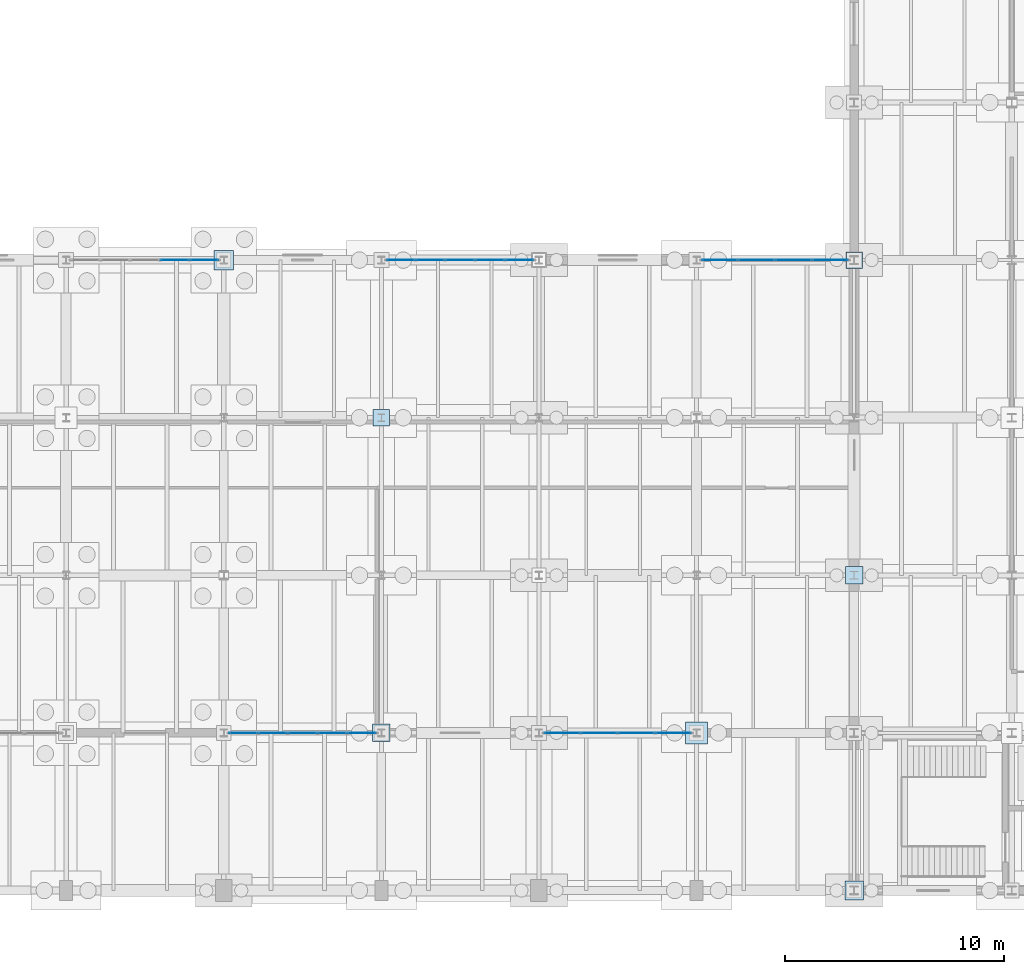
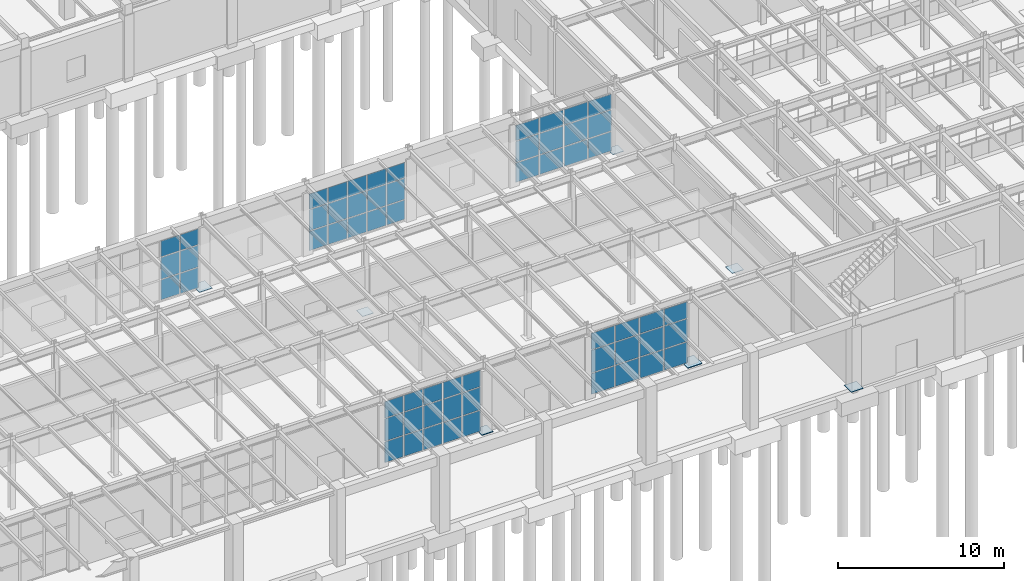
# One storey, part 243 of 293: 67 plates, 5 elements without a shape of their own.
"""IFC4 building model written with IfcOpenShell, lengths in metres."""

from ifc_helpers import new_model, si_unit, direction, frame, origin, origin_2d, place, context, subcontext, project, spatial, rectangle, extrude, material, layer, layer_set, type_object, element, aggregate, save


model = new_model("IFC4")

# Units and contexts
model_context = context("Model", 3, precision=1e-05, world=origin(), true_north=direction((0.0, 1.0)))
body_context = subcontext(model_context, "Body", "Model", "MODEL_VIEW")
ifc_project = project(units=[si_unit("LENGTHUNIT", "METRE"), si_unit("AREAUNIT", "SQUARE_METRE"), si_unit("VOLUMEUNIT", "CUBIC_METRE"), si_unit("PLANEANGLEUNIT", "RADIAN"), si_unit("MASSUNIT", "GRAM", prefix="KILO")], contexts=[model_context])

# Site, building, storey
site_placement = place(None, origin())
site = spatial("IfcSite", under=ifc_project, at=site_placement, CompositionType="ELEMENT")
building_placement = place(site_placement, origin())
building = spatial("IfcBuilding", under=site, at=building_placement, Name="Kemerveld Promenade Tramway Depot", CompositionType="ELEMENT")
storey_placement = place(building_placement, origin())
storey = spatial("IfcBuildingStorey", under=building, at=storey_placement, Name="L00", CompositionType="ELEMENT", Elevation=0.0)

# Curtain wall, plates
ifc_material_1 = material(Name="Bronze anodised aluminium and solar glass", Category="aluminium")
ifc_layer_1 = layer(ifc_material_1, 0.159912109375)
ifc_layer_set_1 = layer_set([ifc_layer_1], Name="CW-SYS-03")
curtain_wall_type_1 = type_object("IfcCurtainWallType", Name="CW-SYS-03", PredefinedType="USERDEFINED", material=ifc_layer_set_1)
curtain_wall_1_placement = place(storey_placement, origin())
curtain_wall_1 = element("IfcCurtainWall", 1, at=curtain_wall_1_placement, inside=storey, type_object=curtain_wall_type_1, Name="CW-L00-V4N-14", ObjectType="GLAZED_CURTAIN_WALL", PredefinedType="USERDEFINED")
ifc_material_2 = material(Name="Solar-control laminated double glazing", Category="glass")
ifc_layer_2 = layer(ifc_material_2, 0.028076171875)
ifc_layer_set_2 = layer_set([ifc_layer_2], Name="CW-PNL-01")
plate_type_1 = type_object("IfcPlateType", Name="CW-PNL-01", PredefinedType="CURTAIN_PANEL", material=ifc_layer_set_2)
plate_1_placement = place(storey_placement, frame((152.2607421875, 28.800048828125, 0.06005859375), z_axis=(0.0, 0.0, 1.0), x_axis=(1.0, 0.0, 0.0)))
plate_1 = element("IfcPlate", 2, at=plate_1_placement, type_object=plate_type_1, Name="CW03 panel 1.1", PredefinedType="CURTAIN_PANEL", context=body_context, shape_type="SweptSolid", body=[
    extrude(rectangle(XDim=1.59912109375, YDim=0.028076171875, at=origin_2d()), origin(), (0.0, 0.0, 1.0), 1.4169921875),
])
plate_2_placement = place(storey_placement, frame((152.2607421875, 28.800048828125, 1.537109375), z_axis=(0.0, 0.0, 1.0), x_axis=(1.0, 0.0, 0.0)))
plate_2 = element("IfcPlate", 3, at=plate_2_placement, type_object=plate_type_1, Name="CW03 panel 1.2", PredefinedType="CURTAIN_PANEL", context=body_context, shape_type="SweptSolid", body=[
    extrude(rectangle(XDim=1.59912109375, YDim=0.028076171875, at=origin_2d()), origin(), (0.0, 0.0, 1.0), 1.532958984375),
])
plate_3_placement = place(storey_placement, frame((152.2607421875, 28.800048828125, 3.1298828125), z_axis=(0.0, 0.0, 1.0), x_axis=(1.0, 0.0, 0.0)))
plate_3 = element("IfcPlate", 4, at=plate_3_placement, type_object=plate_type_1, Name="CW03 panel 1.3", PredefinedType="CURTAIN_PANEL", context=body_context, shape_type="SweptSolid", body=[
    extrude(rectangle(XDim=1.59912109375, YDim=0.028076171875, at=origin_2d()), origin(), (0.0, 0.0, 1.0), 1.114990234375),
])
plate_4_placement = place(storey_placement, frame((153.941162109375, 28.800048828125, 0.06005859375), z_axis=(0.0, 0.0, 1.0), x_axis=(1.0, 0.0, 0.0)))
plate_4 = element("IfcPlate", 5, at=plate_4_placement, type_object=plate_type_1, Name="CW03 panel 2.1", PredefinedType="CURTAIN_PANEL", context=body_context, shape_type="SweptSolid", body=[
    extrude(rectangle(XDim=1.631591796875, YDim=0.028076171875, at=origin_2d()), origin(), (0.0, 0.0, 1.0), 1.4169921875),
])
plate_5_placement = place(storey_placement, frame((153.941162109375, 28.800048828125, 1.537109375), z_axis=(0.0, 0.0, 1.0), x_axis=(1.0, 0.0, 0.0)))
plate_5 = element("IfcPlate", 6, at=plate_5_placement, type_object=plate_type_1, Name="CW03 panel 2.2", PredefinedType="CURTAIN_PANEL", context=body_context, shape_type="SweptSolid", body=[
    extrude(rectangle(XDim=1.631591796875, YDim=0.028076171875, at=origin_2d()), origin(), (0.0, 0.0, 1.0), 1.532958984375),
])
plate_6_placement = place(storey_placement, frame((153.941162109375, 28.800048828125, 3.1298828125), z_axis=(0.0, 0.0, 1.0), x_axis=(1.0, 0.0, 0.0)))
plate_6 = element("IfcPlate", 7, at=plate_6_placement, type_object=plate_type_1, Name="CW03 panel 2.3", PredefinedType="CURTAIN_PANEL", context=body_context, shape_type="SweptSolid", body=[
    extrude(rectangle(XDim=1.631591796875, YDim=0.028076171875, at=origin_2d()), origin(), (0.0, 0.0, 1.0), 1.114990234375),
])
plate_7_placement = place(storey_placement, frame((155.6376953125, 28.800048828125, 0.06005859375), z_axis=(0.0, 0.0, 1.0), x_axis=(1.0, 0.0, 0.0)))
plate_7 = element("IfcPlate", 8, at=plate_7_placement, type_object=plate_type_1, Name="CW03 panel 3.1", PredefinedType="CURTAIN_PANEL", context=body_context, shape_type="SweptSolid", body=[
    extrude(rectangle(XDim=1.631591796875, YDim=0.028076171875, at=origin_2d()), origin(), (0.0, 0.0, 1.0), 1.4169921875),
])
plate_8_placement = place(storey_placement, frame((155.6376953125, 28.800048828125, 1.537109375), z_axis=(0.0, 0.0, 1.0), x_axis=(1.0, 0.0, 0.0)))
plate_8 = element("IfcPlate", 9, at=plate_8_placement, type_object=plate_type_1, Name="CW03 panel 3.2", PredefinedType="CURTAIN_PANEL", context=body_context, shape_type="SweptSolid", body=[
    extrude(rectangle(XDim=1.631591796875, YDim=0.028076171875, at=origin_2d()), origin(), (0.0, 0.0, 1.0), 1.532958984375),
])
plate_9_placement = place(storey_placement, frame((155.6376953125, 28.800048828125, 3.1298828125), z_axis=(0.0, 0.0, 1.0), x_axis=(1.0, 0.0, 0.0)))
plate_9 = element("IfcPlate", 10, at=plate_9_placement, type_object=plate_type_1, Name="CW03 panel 3.3", PredefinedType="CURTAIN_PANEL", context=body_context, shape_type="SweptSolid", body=[
    extrude(rectangle(XDim=1.631591796875, YDim=0.028076171875, at=origin_2d()), origin(), (0.0, 0.0, 1.0), 1.114990234375),
])
plate_10_placement = place(storey_placement, frame((157.318115234375, 28.800048828125, 0.06005859375), z_axis=(0.0, 0.0, 1.0), x_axis=(1.0, 0.0, 0.0)))
plate_10 = element("IfcPlate", 11, at=plate_10_placement, type_object=plate_type_1, Name="CW03 panel 4.1", PredefinedType="CURTAIN_PANEL", context=body_context, shape_type="SweptSolid", body=[
    extrude(rectangle(XDim=1.59912109375, YDim=0.028076171875, at=origin_2d()), origin(), (0.0, 0.0, 1.0), 1.4169921875),
])
plate_11_placement = place(storey_placement, frame((157.318115234375, 28.800048828125, 1.537109375), z_axis=(0.0, 0.0, 1.0), x_axis=(1.0, 0.0, 0.0)))
plate_11 = element("IfcPlate", 12, at=plate_11_placement, type_object=plate_type_1, Name="CW03 panel 4.2", PredefinedType="CURTAIN_PANEL", context=body_context, shape_type="SweptSolid", body=[
    extrude(rectangle(XDim=1.59912109375, YDim=0.028076171875, at=origin_2d()), origin(), (0.0, 0.0, 1.0), 1.532958984375),
])
plate_12_placement = place(storey_placement, frame((157.318115234375, 28.800048828125, 3.1298828125), z_axis=(0.0, 0.0, 1.0), x_axis=(1.0, 0.0, 0.0)))
plate_12 = element("IfcPlate", 13, at=plate_12_placement, type_object=plate_type_1, Name="CW03 panel 4.3", PredefinedType="CURTAIN_PANEL", context=body_context, shape_type="SweptSolid", body=[
    extrude(rectangle(XDim=1.59912109375, YDim=0.028076171875, at=origin_2d()), origin(), (0.0, 0.0, 1.0), 1.114990234375),
])
aggregate(curtain_wall_1, [plate_1, plate_2, plate_3, plate_4, plate_5, plate_6, plate_7, plate_8, plate_9, plate_10, plate_11, plate_12])

ifc_layer_3 = layer(ifc_material_1, 0.159912109375)
ifc_layer_set_3 = layer_set([ifc_layer_3], Name="CW-SYS-05")
curtain_wall_type_2 = type_object("IfcCurtainWallType", Name="CW-SYS-05", PredefinedType="USERDEFINED", material=ifc_layer_set_3)
curtain_wall_2_placement = place(storey_placement, origin())
curtain_wall_2 = element("IfcCurtainWall", 14, at=curtain_wall_2_placement, inside=storey, type_object=curtain_wall_type_2, Name="CW-L00-V4S-02", ObjectType="GLAZED_CURTAIN_WALL", PredefinedType="USERDEFINED")
ifc_layer_4 = layer(ifc_material_2, 0.031982421875)
ifc_layer_set_4 = layer_set([ifc_layer_4], Name="CW-PNL-05")
plate_type_2 = type_object("IfcPlateType", Name="CW-PNL-05", PredefinedType="CURTAIN_PANEL", material=ifc_layer_set_4)
plate_13_placement = place(storey_placement, frame((150.136474609375, 7.199951171875, 0.06005859375), z_axis=(0.0, 0.0, 1.0), x_axis=(-1.0, 0.0, 0.0)))
plate_13 = element("IfcPlate", 15, at=plate_13_placement, type_object=plate_type_2, Name="CW05 panel 1.1", PredefinedType="CURTAIN_PANEL", context=body_context, shape_type="SweptSolid", body=[
    extrude(rectangle(XDim=1.6044921875, YDim=0.031982421875, at=origin_2d()), origin(), (0.0, 0.0, 1.0), 1.52587890625),
])
plate_14_placement = place(storey_placement, frame((150.136474609375, 7.199951171875, 1.64599609375), z_axis=(0.0, 0.0, 1.0), x_axis=(-1.0, 0.0, 0.0)))
plate_14 = element("IfcPlate", 16, at=plate_14_placement, type_object=plate_type_2, Name="CW05 panel 1.2", PredefinedType="CURTAIN_PANEL", context=body_context, shape_type="SweptSolid", body=[
    extrude(rectangle(XDim=1.6044921875, YDim=0.031982421875, at=origin_2d()), origin(), (0.0, 0.0, 1.0), 1.64892578125),
])
plate_15_placement = place(storey_placement, frame((150.136474609375, 7.199951171875, 3.35498046875), z_axis=(0.0, 0.0, 1.0), x_axis=(-1.0, 0.0, 0.0)))
plate_15 = element("IfcPlate", 17, at=plate_15_placement, type_object=plate_type_2, Name="CW05 panel 1.3", PredefinedType="CURTAIN_PANEL", context=body_context, shape_type="SweptSolid", body=[
    extrude(rectangle(XDim=1.6044921875, YDim=0.031982421875, at=origin_2d()), origin(), (0.0, 0.0, 1.0), 1.203369140625),
])
plate_16_placement = place(storey_placement, frame((148.450927734375, 7.199951171875, 0.06005859375), z_axis=(0.0, 0.0, 1.0), x_axis=(-1.0, 0.0, 0.0)))
plate_16 = element("IfcPlate", 18, at=plate_16_placement, type_object=plate_type_2, Name="CW05 panel 2.1", PredefinedType="CURTAIN_PANEL", context=body_context, shape_type="SweptSolid", body=[
    extrude(rectangle(XDim=1.636962890625, YDim=0.031982421875, at=origin_2d()), origin(), (0.0, 0.0, 1.0), 1.52587890625),
])
plate_17_placement = place(storey_placement, frame((148.450927734375, 7.199951171875, 1.64599609375), z_axis=(0.0, 0.0, 1.0), x_axis=(-1.0, 0.0, 0.0)))
plate_17 = element("IfcPlate", 19, at=plate_17_placement, type_object=plate_type_2, Name="CW05 panel 2.2", PredefinedType="CURTAIN_PANEL", context=body_context, shape_type="SweptSolid", body=[
    extrude(rectangle(XDim=1.636962890625, YDim=0.031982421875, at=origin_2d()), origin(), (0.0, 0.0, 1.0), 1.64892578125),
])
plate_18_placement = place(storey_placement, frame((148.450927734375, 7.199951171875, 3.35498046875), z_axis=(0.0, 0.0, 1.0), x_axis=(-1.0, 0.0, 0.0)))
plate_18 = element("IfcPlate", 20, at=plate_18_placement, type_object=plate_type_2, Name="CW05 panel 2.3", PredefinedType="CURTAIN_PANEL", context=body_context, shape_type="SweptSolid", body=[
    extrude(rectangle(XDim=1.636962890625, YDim=0.031982421875, at=origin_2d()), origin(), (0.0, 0.0, 1.0), 1.203369140625),
])
plate_19_placement = place(storey_placement, frame((146.7490234375, 7.199951171875, 0.06005859375), z_axis=(0.0, 0.0, 1.0), x_axis=(-1.0, 0.0, 0.0)))
plate_19 = element("IfcPlate", 21, at=plate_19_placement, type_object=plate_type_2, Name="CW05 panel 3.1", PredefinedType="CURTAIN_PANEL", context=body_context, shape_type="SweptSolid", body=[
    extrude(rectangle(XDim=1.636962890625, YDim=0.031982421875, at=origin_2d()), origin(), (0.0, 0.0, 1.0), 1.52587890625),
])
plate_20_placement = place(storey_placement, frame((146.7490234375, 7.199951171875, 1.64599609375), z_axis=(0.0, 0.0, 1.0), x_axis=(-1.0, 0.0, 0.0)))
plate_20 = element("IfcPlate", 22, at=plate_20_placement, type_object=plate_type_2, Name="CW05 panel 3.2", PredefinedType="CURTAIN_PANEL", context=body_context, shape_type="SweptSolid", body=[
    extrude(rectangle(XDim=1.636962890625, YDim=0.031982421875, at=origin_2d()), origin(), (0.0, 0.0, 1.0), 1.64892578125),
])
plate_21_placement = place(storey_placement, frame((146.7490234375, 7.199951171875, 3.35498046875), z_axis=(0.0, 0.0, 1.0), x_axis=(-1.0, 0.0, 0.0)))
plate_21 = element("IfcPlate", 23, at=plate_21_placement, type_object=plate_type_2, Name="CW05 panel 3.3", PredefinedType="CURTAIN_PANEL", context=body_context, shape_type="SweptSolid", body=[
    extrude(rectangle(XDim=1.636962890625, YDim=0.031982421875, at=origin_2d()), origin(), (0.0, 0.0, 1.0), 1.203369140625),
])
plate_22_placement = place(storey_placement, frame((145.0634765625, 7.199951171875, 0.06005859375), z_axis=(0.0, 0.0, 1.0), x_axis=(-1.0, 0.0, 0.0)))
plate_22 = element("IfcPlate", 24, at=plate_22_placement, type_object=plate_type_2, Name="CW05 panel 4.1", PredefinedType="CURTAIN_PANEL", context=body_context, shape_type="SweptSolid", body=[
    extrude(rectangle(XDim=1.6044921875, YDim=0.031982421875, at=origin_2d()), origin(), (0.0, 0.0, 1.0), 1.52587890625),
])
plate_23_placement = place(storey_placement, frame((145.0634765625, 7.199951171875, 1.64599609375), z_axis=(0.0, 0.0, 1.0), x_axis=(-1.0, 0.0, 0.0)))
plate_23 = element("IfcPlate", 25, at=plate_23_placement, type_object=plate_type_2, Name="CW05 panel 4.2", PredefinedType="CURTAIN_PANEL", context=body_context, shape_type="SweptSolid", body=[
    extrude(rectangle(XDim=1.6044921875, YDim=0.031982421875, at=origin_2d()), origin(), (0.0, 0.0, 1.0), 1.64892578125),
])
plate_24_placement = place(storey_placement, frame((145.0634765625, 7.199951171875, 3.35498046875), z_axis=(0.0, 0.0, 1.0), x_axis=(-1.0, 0.0, 0.0)))
plate_24 = element("IfcPlate", 26, at=plate_24_placement, type_object=plate_type_2, Name="CW05 panel 4.3", PredefinedType="CURTAIN_PANEL", context=body_context, shape_type="SweptSolid", body=[
    extrude(rectangle(XDim=1.6044921875, YDim=0.031982421875, at=origin_2d()), origin(), (0.0, 0.0, 1.0), 1.203369140625),
])
aggregate(curtain_wall_2, [plate_13, plate_14, plate_15, plate_16, plate_17, plate_18, plate_19, plate_20, plate_21, plate_22, plate_23, plate_24])

ifc_layer_5 = layer(ifc_material_1, 0.159912109375)
ifc_layer_set_5 = layer_set([ifc_layer_5], Name="CW-SYS-13")
curtain_wall_type_3 = type_object("IfcCurtainWallType", Name="CW-SYS-13", PredefinedType="USERDEFINED", material=ifc_layer_set_5)
curtain_wall_3_placement = place(storey_placement, origin())
curtain_wall_3 = element("IfcCurtainWall", 27, at=curtain_wall_3_placement, inside=storey, type_object=curtain_wall_type_3, Name="CW-L00-V4N-10", ObjectType="GLAZED_CURTAIN_WALL", PredefinedType="USERDEFINED")
plate_25_placement = place(storey_placement, frame((127.361572265625, 28.800048828125, 0.06005859375), z_axis=(0.0, 0.0, 1.0), x_axis=(1.0, 0.0, 0.0)))
plate_25 = element("IfcPlate", 28, at=plate_25_placement, type_object=plate_type_2, Name="CW13 panel 4.1", PredefinedType="CURTAIN_PANEL", context=body_context, shape_type="SweptSolid", body=[
    extrude(rectangle(XDim=1.29638671875, YDim=0.031982421875, at=origin_2d()), origin(), (0.0, 0.0, 1.0), 1.468994140625),
])
plate_26_placement = place(storey_placement, frame((127.361572265625, 28.800048828125, 1.5888671875), z_axis=(0.0, 0.0, 1.0), x_axis=(1.0, 0.0, 0.0)))
plate_26 = element("IfcPlate", 29, at=plate_26_placement, type_object=plate_type_2, Name="CW13 panel 4.2", PredefinedType="CURTAIN_PANEL", context=body_context, shape_type="SweptSolid", body=[
    extrude(rectangle(XDim=1.29638671875, YDim=0.031982421875, at=origin_2d()), origin(), (0.0, 0.0, 1.0), 1.589111328125),
])
plate_27_placement = place(storey_placement, frame((127.361572265625, 28.800048828125, 3.23779296875), z_axis=(0.0, 0.0, 1.0), x_axis=(1.0, 0.0, 0.0)))
plate_27 = element("IfcPlate", 30, at=plate_27_placement, type_object=plate_type_2, Name="CW13 panel 4.3", PredefinedType="CURTAIN_PANEL", context=body_context, shape_type="SweptSolid", body=[
    extrude(rectangle(XDim=1.29638671875, YDim=0.031982421875, at=origin_2d()), origin(), (0.0, 0.0, 1.0), 1.156982421875),
])
plate_28_placement = place(storey_placement, frame((128.706787109375, 28.800048828125, 0.06005859375), z_axis=(0.0, 0.0, 1.0), x_axis=(1.0, 0.0, 0.0)))
plate_28 = element("IfcPlate", 31, at=plate_28_placement, type_object=plate_type_2, Name="CW13 panel 5.1", PredefinedType="CURTAIN_PANEL", context=body_context, shape_type="SweptSolid", body=[
    extrude(rectangle(XDim=1.263916015625, YDim=0.031982421875, at=origin_2d()), origin(), (0.0, 0.0, 1.0), 1.468994140625),
])
plate_29_placement = place(storey_placement, frame((128.706787109375, 28.800048828125, 1.5888671875), z_axis=(0.0, 0.0, 1.0), x_axis=(1.0, 0.0, 0.0)))
plate_29 = element("IfcPlate", 32, at=plate_29_placement, type_object=plate_type_2, Name="CW13 panel 5.2", PredefinedType="CURTAIN_PANEL", context=body_context, shape_type="SweptSolid", body=[
    extrude(rectangle(XDim=1.263916015625, YDim=0.031982421875, at=origin_2d()), origin(), (0.0, 0.0, 1.0), 1.589111328125),
])
plate_30_placement = place(storey_placement, frame((128.706787109375, 28.800048828125, 3.23779296875), z_axis=(0.0, 0.0, 1.0), x_axis=(1.0, 0.0, 0.0)))
plate_30 = element("IfcPlate", 33, at=plate_30_placement, type_object=plate_type_2, Name="CW13 panel 5.3", PredefinedType="CURTAIN_PANEL", context=body_context, shape_type="SweptSolid", body=[
    extrude(rectangle(XDim=1.263916015625, YDim=0.031982421875, at=origin_2d()), origin(), (0.0, 0.0, 1.0), 1.156982421875),
])
aggregate(curtain_wall_3, [plate_25, plate_26, plate_27, plate_28, plate_29, plate_30])

ifc_layer_6 = layer(ifc_material_1, 0.159912109375)
ifc_layer_set_6 = layer_set([ifc_layer_6], Name="CW-SYS-07")
curtain_wall_type_4 = type_object("IfcCurtainWallType", Name="CW-SYS-07", PredefinedType="USERDEFINED", material=ifc_layer_set_6)
curtain_wall_4_placement = place(storey_placement, origin())
curtain_wall_4 = element("IfcCurtainWall", 34, at=curtain_wall_4_placement, inside=storey, type_object=curtain_wall_type_4, Name="CW-L00-V4S-04", ObjectType="GLAZED_CURTAIN_WALL", PredefinedType="USERDEFINED")
ifc_layer_7 = layer(ifc_material_2, 0.030029296875)
ifc_layer_set_7 = layer_set([ifc_layer_7], Name="CW-PNL-07")
plate_type_3 = type_object("IfcPlateType", Name="CW-PNL-07", PredefinedType="CURTAIN_PANEL", material=ifc_layer_set_7)
plate_31_placement = place(storey_placement, frame((135.90673828125, 7.199951171875, 0.06005859375), z_axis=(0.0, 0.0, 1.0), x_axis=(-1.0, 0.0, 0.0)))
plate_31 = element("IfcPlate", 35, at=plate_31_placement, type_object=plate_type_3, Name="CW07 panel 1.1", PredefinedType="CURTAIN_PANEL", context=body_context, shape_type="SweptSolid", body=[
    extrude(rectangle(XDim=1.263916015625, YDim=0.030029296875, at=origin_2d()), origin(), (0.0, 0.0, 1.0), 1.52587890625),
])
plate_32_placement = place(storey_placement, frame((135.90673828125, 7.199951171875, 1.64599609375), z_axis=(0.0, 0.0, 1.0), x_axis=(-1.0, 0.0, 0.0)))
plate_32 = element("IfcPlate", 36, at=plate_32_placement, type_object=plate_type_3, Name="CW07 panel 1.2", PredefinedType="CURTAIN_PANEL", context=body_context, shape_type="SweptSolid", body=[
    extrude(rectangle(XDim=1.263916015625, YDim=0.030029296875, at=origin_2d()), origin(), (0.0, 0.0, 1.0), 1.64892578125),
])
plate_33_placement = place(storey_placement, frame((135.90673828125, 7.199951171875, 3.35498046875), z_axis=(0.0, 0.0, 1.0), x_axis=(-1.0, 0.0, 0.0)))
plate_33 = element("IfcPlate", 37, at=plate_33_placement, type_object=plate_type_3, Name="CW07 panel 1.3", PredefinedType="CURTAIN_PANEL", context=body_context, shape_type="SweptSolid", body=[
    extrude(rectangle(XDim=1.263916015625, YDim=0.030029296875, at=origin_2d()), origin(), (0.0, 0.0, 1.0), 1.203369140625),
])
plate_34_placement = place(storey_placement, frame((134.5615234375, 7.199951171875, 0.06005859375), z_axis=(0.0, 0.0, 1.0), x_axis=(-1.0, 0.0, 0.0)))
plate_34 = element("IfcPlate", 38, at=plate_34_placement, type_object=plate_type_3, Name="CW07 panel 2.1", PredefinedType="CURTAIN_PANEL", context=body_context, shape_type="SweptSolid", body=[
    extrude(rectangle(XDim=1.296630859375, YDim=0.030029296875, at=origin_2d()), origin(), (0.0, 0.0, 1.0), 1.52587890625),
])
plate_35_placement = place(storey_placement, frame((134.5615234375, 7.199951171875, 1.64599609375), z_axis=(0.0, 0.0, 1.0), x_axis=(-1.0, 0.0, 0.0)))
plate_35 = element("IfcPlate", 39, at=plate_35_placement, type_object=plate_type_3, Name="CW07 panel 2.2", PredefinedType="CURTAIN_PANEL", context=body_context, shape_type="SweptSolid", body=[
    extrude(rectangle(XDim=1.296630859375, YDim=0.030029296875, at=origin_2d()), origin(), (0.0, 0.0, 1.0), 1.64892578125),
])
plate_36_placement = place(storey_placement, frame((134.5615234375, 7.199951171875, 3.35498046875), z_axis=(0.0, 0.0, 1.0), x_axis=(-1.0, 0.0, 0.0)))
plate_36 = element("IfcPlate", 40, at=plate_36_placement, type_object=plate_type_3, Name="CW07 panel 2.3", PredefinedType="CURTAIN_PANEL", context=body_context, shape_type="SweptSolid", body=[
    extrude(rectangle(XDim=1.296630859375, YDim=0.030029296875, at=origin_2d()), origin(), (0.0, 0.0, 1.0), 1.203369140625),
])
plate_37_placement = place(storey_placement, frame((133.199951171875, 7.199951171875, 0.06005859375), z_axis=(0.0, 0.0, 1.0), x_axis=(-1.0, 0.0, 0.0)))
plate_37 = element("IfcPlate", 41, at=plate_37_placement, type_object=plate_type_3, Name="CW07 panel 3.1", PredefinedType="CURTAIN_PANEL", context=body_context, shape_type="SweptSolid", body=[
    extrude(rectangle(XDim=1.296630859375, YDim=0.030029296875, at=origin_2d()), origin(), (0.0, 0.0, 1.0), 1.52587890625),
])
plate_38_placement = place(storey_placement, frame((133.199951171875, 7.199951171875, 1.64599609375), z_axis=(0.0, 0.0, 1.0), x_axis=(-1.0, 0.0, 0.0)))
plate_38 = element("IfcPlate", 42, at=plate_38_placement, type_object=plate_type_3, Name="CW07 panel 3.2", PredefinedType="CURTAIN_PANEL", context=body_context, shape_type="SweptSolid", body=[
    extrude(rectangle(XDim=1.296630859375, YDim=0.030029296875, at=origin_2d()), origin(), (0.0, 0.0, 1.0), 1.64892578125),
])
plate_39_placement = place(storey_placement, frame((133.199951171875, 7.199951171875, 3.35498046875), z_axis=(0.0, 0.0, 1.0), x_axis=(-1.0, 0.0, 0.0)))
plate_39 = element("IfcPlate", 43, at=plate_39_placement, type_object=plate_type_3, Name="CW07 panel 3.3", PredefinedType="CURTAIN_PANEL", context=body_context, shape_type="SweptSolid", body=[
    extrude(rectangle(XDim=1.296630859375, YDim=0.030029296875, at=origin_2d()), origin(), (0.0, 0.0, 1.0), 1.203369140625),
])
plate_40_placement = place(storey_placement, frame((131.83837890625, 7.199951171875, 0.06005859375), z_axis=(0.0, 0.0, 1.0), x_axis=(-1.0, 0.0, 0.0)))
plate_40 = element("IfcPlate", 44, at=plate_40_placement, type_object=plate_type_3, Name="CW07 panel 4.1", PredefinedType="CURTAIN_PANEL", context=body_context, shape_type="SweptSolid", body=[
    extrude(rectangle(XDim=1.296630859375, YDim=0.030029296875, at=origin_2d()), origin(), (0.0, 0.0, 1.0), 1.52587890625),
])
plate_41_placement = place(storey_placement, frame((131.83837890625, 7.199951171875, 1.64599609375), z_axis=(0.0, 0.0, 1.0), x_axis=(-1.0, 0.0, 0.0)))
plate_41 = element("IfcPlate", 45, at=plate_41_placement, type_object=plate_type_3, Name="CW07 panel 4.2", PredefinedType="CURTAIN_PANEL", context=body_context, shape_type="SweptSolid", body=[
    extrude(rectangle(XDim=1.296630859375, YDim=0.030029296875, at=origin_2d()), origin(), (0.0, 0.0, 1.0), 1.64892578125),
])
plate_42_placement = place(storey_placement, frame((131.83837890625, 7.199951171875, 3.35498046875), z_axis=(0.0, 0.0, 1.0), x_axis=(-1.0, 0.0, 0.0)))
plate_42 = element("IfcPlate", 46, at=plate_42_placement, type_object=plate_type_3, Name="CW07 panel 4.3", PredefinedType="CURTAIN_PANEL", context=body_context, shape_type="SweptSolid", body=[
    extrude(rectangle(XDim=1.296630859375, YDim=0.030029296875, at=origin_2d()), origin(), (0.0, 0.0, 1.0), 1.203369140625),
])
plate_43_placement = place(storey_placement, frame((130.4931640625, 7.199951171875, 0.06005859375), z_axis=(0.0, 0.0, 1.0), x_axis=(-1.0, 0.0, 0.0)))
plate_43 = element("IfcPlate", 47, at=plate_43_placement, type_object=plate_type_3, Name="CW07 panel 5.1", PredefinedType="CURTAIN_PANEL", context=body_context, shape_type="SweptSolid", body=[
    extrude(rectangle(XDim=1.263916015625, YDim=0.030029296875, at=origin_2d()), origin(), (0.0, 0.0, 1.0), 1.52587890625),
])
plate_44_placement = place(storey_placement, frame((130.4931640625, 7.199951171875, 1.64599609375), z_axis=(0.0, 0.0, 1.0), x_axis=(-1.0, 0.0, 0.0)))
plate_44 = element("IfcPlate", 48, at=plate_44_placement, type_object=plate_type_3, Name="CW07 panel 5.2", PredefinedType="CURTAIN_PANEL", context=body_context, shape_type="SweptSolid", body=[
    extrude(rectangle(XDim=1.263916015625, YDim=0.030029296875, at=origin_2d()), origin(), (0.0, 0.0, 1.0), 1.64892578125),
])
plate_45_placement = place(storey_placement, frame((130.4931640625, 7.199951171875, 3.35498046875), z_axis=(0.0, 0.0, 1.0), x_axis=(-1.0, 0.0, 0.0)))
plate_45 = element("IfcPlate", 49, at=plate_45_placement, type_object=plate_type_3, Name="CW07 panel 5.3", PredefinedType="CURTAIN_PANEL", context=body_context, shape_type="SweptSolid", body=[
    extrude(rectangle(XDim=1.263916015625, YDim=0.030029296875, at=origin_2d()), origin(), (0.0, 0.0, 1.0), 1.203369140625),
])
aggregate(curtain_wall_4, [plate_31, plate_32, plate_33, plate_34, plate_35, plate_36, plate_37, plate_38, plate_39, plate_40, plate_41, plate_42, plate_43, plate_44, plate_45])

ifc_layer_8 = layer(ifc_material_1, 0.159912109375)
ifc_layer_set_8 = layer_set([ifc_layer_8], Name="CW-SYS-01")
curtain_wall_type_5 = type_object("IfcCurtainWallType", Name="CW-SYS-01", PredefinedType="USERDEFINED", material=ifc_layer_set_8)
curtain_wall_5_placement = place(storey_placement, origin())
curtain_wall_5 = element("IfcCurtainWall", 50, at=curtain_wall_5_placement, inside=storey, type_object=curtain_wall_type_5, Name="CW-L00-V4N-12", ObjectType="GLAZED_CURTAIN_WALL", PredefinedType="USERDEFINED")
plate_46_placement = place(storey_placement, frame((137.693359375, 28.800048828125, 0.06005859375), z_axis=(0.0, 0.0, 1.0), x_axis=(1.0, 0.0, 0.0)))
plate_46 = element("IfcPlate", 51, at=plate_46_placement, type_object=plate_type_3, Name="CW01 panel 1.1", PredefinedType="CURTAIN_PANEL", context=body_context, shape_type="SweptSolid", body=[
    extrude(rectangle(XDim=1.263916015625, YDim=0.030029296875, at=origin_2d()), origin(), (0.0, 0.0, 1.0), 1.4169921875),
])
plate_47_placement = place(storey_placement, frame((137.693359375, 28.800048828125, 1.537109375), z_axis=(0.0, 0.0, 1.0), x_axis=(1.0, 0.0, 0.0)))
plate_47 = element("IfcPlate", 52, at=plate_47_placement, type_object=plate_type_3, Name="CW01 panel 1.2", PredefinedType="CURTAIN_PANEL", context=body_context, shape_type="SweptSolid", body=[
    extrude(rectangle(XDim=1.263916015625, YDim=0.030029296875, at=origin_2d()), origin(), (0.0, 0.0, 1.0), 1.532958984375),
])
plate_48_placement = place(storey_placement, frame((137.693359375, 28.800048828125, 3.1298828125), z_axis=(0.0, 0.0, 1.0), x_axis=(1.0, 0.0, 0.0)))
plate_48 = element("IfcPlate", 53, at=plate_48_placement, type_object=plate_type_3, Name="CW01 panel 1.3", PredefinedType="CURTAIN_PANEL", context=body_context, shape_type="SweptSolid", body=[
    extrude(rectangle(XDim=1.263916015625, YDim=0.030029296875, at=origin_2d()), origin(), (0.0, 0.0, 1.0), 1.114990234375),
])
plate_49_placement = place(storey_placement, frame((139.03857421875, 28.800048828125, 0.06005859375), z_axis=(0.0, 0.0, 1.0), x_axis=(1.0, 0.0, 0.0)))
plate_49 = element("IfcPlate", 54, at=plate_49_placement, type_object=plate_type_3, Name="CW01 panel 2.1", PredefinedType="CURTAIN_PANEL", context=body_context, shape_type="SweptSolid", body=[
    extrude(rectangle(XDim=1.29638671875, YDim=0.030029296875, at=origin_2d()), origin(), (0.0, 0.0, 1.0), 1.4169921875),
])
plate_50_placement = place(storey_placement, frame((139.03857421875, 28.800048828125, 1.537109375), z_axis=(0.0, 0.0, 1.0), x_axis=(1.0, 0.0, 0.0)))
plate_50 = element("IfcPlate", 55, at=plate_50_placement, type_object=plate_type_3, Name="CW01 panel 2.2", PredefinedType="CURTAIN_PANEL", context=body_context, shape_type="SweptSolid", body=[
    extrude(rectangle(XDim=1.29638671875, YDim=0.030029296875, at=origin_2d()), origin(), (0.0, 0.0, 1.0), 1.532958984375),
])
plate_51_placement = place(storey_placement, frame((139.03857421875, 28.800048828125, 3.1298828125), z_axis=(0.0, 0.0, 1.0), x_axis=(1.0, 0.0, 0.0)))
plate_51 = element("IfcPlate", 56, at=plate_51_placement, type_object=plate_type_3, Name="CW01 panel 2.3", PredefinedType="CURTAIN_PANEL", context=body_context, shape_type="SweptSolid", body=[
    extrude(rectangle(XDim=1.29638671875, YDim=0.030029296875, at=origin_2d()), origin(), (0.0, 0.0, 1.0), 1.114990234375),
])
plate_52_placement = place(storey_placement, frame((140.400146484375, 28.800048828125, 0.06005859375), z_axis=(0.0, 0.0, 1.0), x_axis=(1.0, 0.0, 0.0)))
plate_52 = element("IfcPlate", 57, at=plate_52_placement, type_object=plate_type_3, Name="CW01 panel 3.1", PredefinedType="CURTAIN_PANEL", context=body_context, shape_type="SweptSolid", body=[
    extrude(rectangle(XDim=1.29638671875, YDim=0.030029296875, at=origin_2d()), origin(), (0.0, 0.0, 1.0), 1.4169921875),
])
plate_53_placement = place(storey_placement, frame((140.400146484375, 28.800048828125, 1.537109375), z_axis=(0.0, 0.0, 1.0), x_axis=(1.0, 0.0, 0.0)))
plate_53 = element("IfcPlate", 58, at=plate_53_placement, type_object=plate_type_3, Name="CW01 panel 3.2", PredefinedType="CURTAIN_PANEL", context=body_context, shape_type="SweptSolid", body=[
    extrude(rectangle(XDim=1.29638671875, YDim=0.030029296875, at=origin_2d()), origin(), (0.0, 0.0, 1.0), 1.532958984375),
])
plate_54_placement = place(storey_placement, frame((140.400146484375, 28.800048828125, 3.1298828125), z_axis=(0.0, 0.0, 1.0), x_axis=(1.0, 0.0, 0.0)))
plate_54 = element("IfcPlate", 59, at=plate_54_placement, type_object=plate_type_3, Name="CW01 panel 3.3", PredefinedType="CURTAIN_PANEL", context=body_context, shape_type="SweptSolid", body=[
    extrude(rectangle(XDim=1.29638671875, YDim=0.030029296875, at=origin_2d()), origin(), (0.0, 0.0, 1.0), 1.114990234375),
])
plate_55_placement = place(storey_placement, frame((141.761474609375, 28.800048828125, 0.06005859375), z_axis=(0.0, 0.0, 1.0), x_axis=(1.0, 0.0, 0.0)))
plate_55 = element("IfcPlate", 60, at=plate_55_placement, type_object=plate_type_3, Name="CW01 panel 4.1", PredefinedType="CURTAIN_PANEL", context=body_context, shape_type="SweptSolid", body=[
    extrude(rectangle(XDim=1.29638671875, YDim=0.030029296875, at=origin_2d()), origin(), (0.0, 0.0, 1.0), 1.4169921875),
])
plate_56_placement = place(storey_placement, frame((141.761474609375, 28.800048828125, 1.537109375), z_axis=(0.0, 0.0, 1.0), x_axis=(1.0, 0.0, 0.0)))
plate_56 = element("IfcPlate", 61, at=plate_56_placement, type_object=plate_type_3, Name="CW01 panel 4.2", PredefinedType="CURTAIN_PANEL", context=body_context, shape_type="SweptSolid", body=[
    extrude(rectangle(XDim=1.29638671875, YDim=0.030029296875, at=origin_2d()), origin(), (0.0, 0.0, 1.0), 1.532958984375),
])
plate_57_placement = place(storey_placement, frame((141.761474609375, 28.800048828125, 3.1298828125), z_axis=(0.0, 0.0, 1.0), x_axis=(1.0, 0.0, 0.0)))
plate_57 = element("IfcPlate", 62, at=plate_57_placement, type_object=plate_type_3, Name="CW01 panel 4.3", PredefinedType="CURTAIN_PANEL", context=body_context, shape_type="SweptSolid", body=[
    extrude(rectangle(XDim=1.29638671875, YDim=0.030029296875, at=origin_2d()), origin(), (0.0, 0.0, 1.0), 1.114990234375),
])
plate_58_placement = place(storey_placement, frame((143.106689453125, 28.800048828125, 0.06005859375), z_axis=(0.0, 0.0, 1.0), x_axis=(1.0, 0.0, 0.0)))
plate_58 = element("IfcPlate", 63, at=plate_58_placement, type_object=plate_type_3, Name="CW01 panel 5.1", PredefinedType="CURTAIN_PANEL", context=body_context, shape_type="SweptSolid", body=[
    extrude(rectangle(XDim=1.263916015625, YDim=0.030029296875, at=origin_2d()), origin(), (0.0, 0.0, 1.0), 1.4169921875),
])
plate_59_placement = place(storey_placement, frame((143.106689453125, 28.800048828125, 1.537109375), z_axis=(0.0, 0.0, 1.0), x_axis=(1.0, 0.0, 0.0)))
plate_59 = element("IfcPlate", 64, at=plate_59_placement, type_object=plate_type_3, Name="CW01 panel 5.2", PredefinedType="CURTAIN_PANEL", context=body_context, shape_type="SweptSolid", body=[
    extrude(rectangle(XDim=1.263916015625, YDim=0.030029296875, at=origin_2d()), origin(), (0.0, 0.0, 1.0), 1.532958984375),
])
plate_60_placement = place(storey_placement, frame((143.106689453125, 28.800048828125, 3.1298828125), z_axis=(0.0, 0.0, 1.0), x_axis=(1.0, 0.0, 0.0)))
plate_60 = element("IfcPlate", 65, at=plate_60_placement, type_object=plate_type_3, Name="CW01 panel 5.3", PredefinedType="CURTAIN_PANEL", context=body_context, shape_type="SweptSolid", body=[
    extrude(rectangle(XDim=1.263916015625, YDim=0.030029296875, at=origin_2d()), origin(), (0.0, 0.0, 1.0), 1.114990234375),
])
aggregate(curtain_wall_5, [plate_46, plate_47, plate_48, plate_49, plate_50, plate_51, plate_52, plate_53, plate_54, plate_55, plate_56, plate_57, plate_58, plate_59, plate_60])

# Plates
ifc_material_3 = material(Name="Steel S355", Category="steel")
ifc_layer_9 = layer(ifc_material_3, 0.044921875)
ifc_layer_set_9 = layer_set([ifc_layer_9], Name="PL-BP01")
plate_type_4 = type_object("IfcPlateType", Name="PL-BP01", PredefinedType="USERDEFINED", material=ifc_layer_set_9)
plate_61_placement = place(storey_placement, frame((129.60009765625, 28.800048828125, 0.0), z_axis=(0.0, 0.0, 1.0), x_axis=(1.0, 0.0, 0.0)))
element("IfcPlate", 66, at=plate_61_placement, inside=storey, type_object=plate_type_4, Name="BP-19-E", ObjectType="BASE_PLATE", PredefinedType="USERDEFINED", context=body_context, shape_type="SweptSolid", body=[
    extrude(rectangle(XDim=0.89990234375, YDim=0.89990234375, at=origin_2d()), origin(), (0.0, 0.0, 1.0), 0.044921875),
])
ifc_layer_10 = layer(ifc_material_3, 0.0400390625)
ifc_layer_set_10 = layer_set([ifc_layer_10], Name="PL-BP02")
plate_type_5 = type_object("IfcPlateType", Name="PL-BP02", PredefinedType="USERDEFINED", material=ifc_layer_set_10)
plate_62_placement = place(storey_placement, frame((158.39990234375, 0.0, 0.0), z_axis=(0.0, 0.0, 1.0), x_axis=(1.0, 0.0, 0.0)))
element("IfcPlate", 67, at=plate_62_placement, inside=storey, type_object=plate_type_5, Name="BP-23-A", ObjectType="BASE_PLATE", PredefinedType="USERDEFINED", context=body_context, shape_type="SweptSolid", body=[
    extrude(rectangle(XDim=0.85009765625, YDim=0.85009765625, at=origin_2d()), origin(), (0.0, 0.0, 1.0), 0.0400390625),
])
ifc_layer_11 = layer(ifc_material_3, 0.0400390625)
ifc_layer_set_11 = layer_set([ifc_layer_11], Name="PL-BP03")
plate_type_6 = type_object("IfcPlateType", Name="PL-BP03", PredefinedType="USERDEFINED", material=ifc_layer_set_11)
for number, where, z_axis, x_axis, name in (
    (68, (136.800048828125, 7.199951171875, 0.0), (0.0, 0.0, 1.0), (1.0, 0.0, 0.0), "BP-20-B"),
    (69, (158.39990234375, 14.39990234375, 0.0), (0.0, 0.0, 1.0), (1.0, 0.0, 0.0), "BP-23-C"),
):
    element("IfcPlate", number, at=place(storey_placement, frame(where, z_axis=z_axis, x_axis=x_axis)), inside=storey, type_object=plate_type_6, Name=name, ObjectType="BASE_PLATE", PredefinedType="USERDEFINED", context=body_context, shape_type="SweptSolid", body=[
        extrude(rectangle(XDim=0.800048828125, YDim=0.800048828125, at=origin_2d()), origin(), (0.0, 0.0, 1.0), 0.0400390625),
    ])
ifc_layer_12 = layer(ifc_material_3, 0.034912109375)
ifc_layer_set_12 = layer_set([ifc_layer_12], Name="PL-BP04")
plate_type_7 = type_object("IfcPlateType", Name="PL-BP04", PredefinedType="USERDEFINED", material=ifc_layer_set_12)
for number, where, z_axis, x_axis, name in (
    (70, (136.800048828125, 21.60009765625, 0.0), (0.0, 0.0, 1.0), (1.0, 0.0, 0.0), "BP-20-D"),
    (71, (158.39990234375, 28.800048828125, 0.0), (0.0, 0.0, 1.0), (1.0, 0.0, 0.0), "BP-23-E"),
):
    element("IfcPlate", number, at=place(storey_placement, frame(where, z_axis=z_axis, x_axis=x_axis)), inside=storey, type_object=plate_type_7, Name=name, ObjectType="BASE_PLATE", PredefinedType="USERDEFINED", context=body_context, shape_type="SweptSolid", body=[
        extrude(rectangle(XDim=0.75, YDim=0.75, at=origin_2d()), origin(), (0.0, 0.0, 1.0), 0.034912109375),
    ])
ifc_layer_13 = layer(ifc_material_3, 0.050048828125)
ifc_layer_set_13 = layer_set([ifc_layer_13], Name="PL-BP10")
plate_type_8 = type_object("IfcPlateType", Name="PL-BP10", PredefinedType="USERDEFINED", material=ifc_layer_set_13)
plate_63_placement = place(storey_placement, frame((151.199951171875, 7.199951171875, 0.0), z_axis=(0.0, 0.0, 1.0), x_axis=(1.0, 0.0, 0.0)))
element("IfcPlate", 72, at=plate_63_placement, inside=storey, type_object=plate_type_8, Name="BP-22-B", ObjectType="BASE_PLATE", PredefinedType="USERDEFINED", context=body_context, shape_type="SweptSolid", body=[
    extrude(rectangle(XDim=1.0, YDim=1.0, at=origin_2d()), origin(), (0.0, 0.0, 1.0), 0.050048828125),
])

save(model, "model.ifc")
